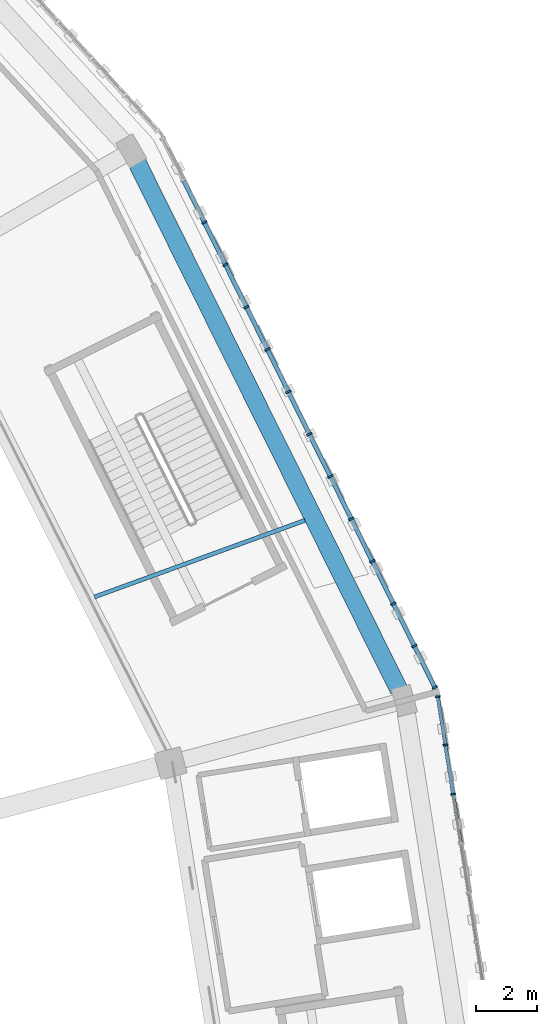
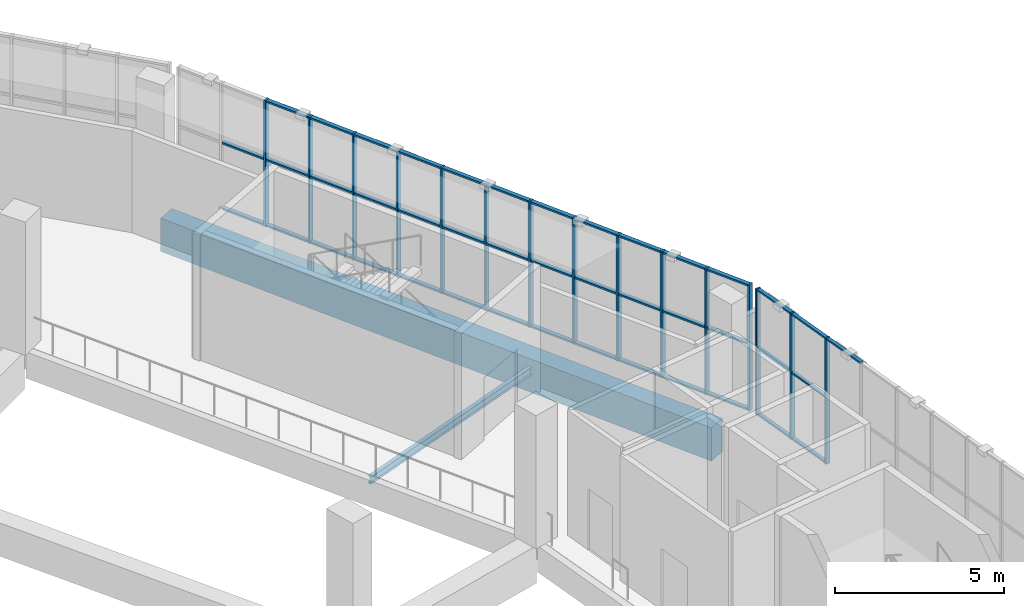
# One storey, part 30 of 108: 57 members, 2 beams, 2 elements without a shape of their own.
"""IFC4 building model written with IfcOpenShell, lengths in metres."""

from ifc_helpers import new_model, si_unit, direction, frame, origin, origin_2d, place, context, subcontext, project, spatial, rectangle, i_section, extrude, material, material_profile, profile_set, type_object, element, aggregate, save


model = new_model("IFC4")

# Units and contexts
model_context = context("Model", 3, precision=1e-05, world=origin(), true_north=direction((0.0, 1.0)))
body_context = subcontext(model_context, "Body", "Model", "MODEL_VIEW")
ifc_project = project(units=[si_unit("LENGTHUNIT", "METRE"), si_unit("AREAUNIT", "SQUARE_METRE"), si_unit("VOLUMEUNIT", "CUBIC_METRE"), si_unit("PLANEANGLEUNIT", "RADIAN"), si_unit("MASSUNIT", "GRAM", prefix="KILO")], contexts=[model_context])

# Site, building, storey
site_placement = place(None, origin())
site = spatial("IfcSite", under=ifc_project, at=site_placement, CompositionType="ELEMENT")
building_placement = place(site_placement, origin())
building = spatial("IfcBuilding", under=site, at=building_placement, Name="Zevraka Park Crest Stadium", CompositionType="ELEMENT")
storey_placement = place(building_placement, frame((0.0, 0.0, 19.800048828125)))
storey = spatial("IfcBuildingStorey", under=building, at=storey_placement, Name="L04", CompositionType="ELEMENT", Elevation=19.800048828125)

# Curtain wall, members
ifc_material_1 = material(Name="Anodised architectural aluminium and laminated safety glass", Category="aluminium")
curtain_wall_type_1 = type_object("IfcCurtainWallType", Name="CW16", PredefinedType="NOTDEFINED", material=ifc_material_1)
curtain_wall_1_placement = place(storey_placement, origin())
curtain_wall_1 = element("IfcCurtainWall", 1, at=curtain_wall_1_placement, inside=storey, type_object=curtain_wall_type_1, Name="Unitised Ring Curtain Wall CW16 L04-00", PredefinedType="NOTDEFINED")
ifc_material_2 = material(Name="Anodised architectural aluminium", Category="aluminium")
ifc_material_profile_1 = material_profile(ifc_material_2, rectangle(XDim=0.159912109375, YDim=0.06005859375, at=origin_2d()), Name="ALU MULLION 160x60")
ifc_profile_set_1 = profile_set([ifc_material_profile_1], Name="Anodised architectural aluminium")
member_type_1 = type_object("IfcMemberType", Name="CM01", PredefinedType="MULLION", material=ifc_profile_set_1)
member_1_placement = place(storey_placement, frame((200.83740234375, 108.395263671875, 0.0), z_axis=(0.0, 0.0, 1.0), x_axis=(-0.987829746281, -0.155539038066, 0.0)))
member_1 = element("IfcMember", 2, at=member_1_placement, type_object=member_type_1, Name="CW16 mullion 11", PredefinedType="MULLION", context=body_context, shape_type="SweptSolid", body=[
    extrude(rectangle(XDim=0.159912109375, YDim=0.06005859375, at=origin_2d()), origin(), (0.0, 0.0, 1.0), 4.5400390625),
])
member_2_placement = place(storey_placement, frame((200.5810546875, 110.02197265625, 0.0), z_axis=(0.0, 0.0, 1.0), x_axis=(-0.987829746281, -0.155539038066, 0.0)))
member_2 = element("IfcMember", 3, at=member_2_placement, type_object=member_type_1, Name="CW16 mullion 12", PredefinedType="MULLION", context=body_context, shape_type="SweptSolid", body=[
    extrude(rectangle(XDim=0.159912109375, YDim=0.06005859375, at=origin_2d()), origin(), (0.0, 0.0, 1.0), 4.5400390625),
])
member_3_placement = place(storey_placement, frame((200.32958984375, 111.619384765625, 0.0), z_axis=(0.0, 0.0, 1.0), x_axis=(-0.987829746281, -0.155539038066, 0.0)))
member_3 = element("IfcMember", 4, at=member_3_placement, type_object=member_type_1, Name="CW16 mullion 13", PredefinedType="MULLION", context=body_context, shape_type="SweptSolid", body=[
    extrude(rectangle(XDim=0.159912109375, YDim=0.06005859375, at=origin_2d()), origin(), (0.0, 0.0, 1.0), 4.5400390625),
])

ifc_material_3 = material(Name="Anodised architectural aluminium and laminated safety glass", Category="aluminium")
curtain_wall_type_2 = type_object("IfcCurtainWallType", Name="CW17", PredefinedType="NOTDEFINED", material=ifc_material_3)
curtain_wall_2_placement = place(storey_placement, origin())
curtain_wall_2 = element("IfcCurtainWall", 5, at=curtain_wall_2_placement, inside=storey, type_object=curtain_wall_type_2, Name="Unitised Ring Curtain Wall CW17 L04-01", PredefinedType="NOTDEFINED")
ifc_material_4 = material(Name="Anodised architectural aluminium", Category="aluminium")
ifc_material_profile_2 = material_profile(ifc_material_4, rectangle(XDim=0.179931640625, YDim=0.06494140625, at=origin_2d()), Name="ALU MULLION 180x65")
ifc_profile_set_2 = profile_set([ifc_material_profile_2], Name="Anodised architectural aluminium")
member_type_2 = type_object("IfcMemberType", Name="CM02", PredefinedType="MULLION", material=ifc_profile_set_2)
member_4_placement = place(storey_placement, frame((200.233642578125, 111.919189453125, 0.0), z_axis=(0.0, 0.0, 1.0), x_axis=(-0.896046076106, -0.443961067545, 0.0)))
member_4 = element("IfcMember", 6, at=member_4_placement, type_object=member_type_2, Name="CW17 mullion 1", PredefinedType="MULLION", context=body_context, shape_type="SweptSolid", body=[
    extrude(rectangle(XDim=0.179931640625, YDim=0.06494140625, at=origin_2d()), origin(), (0.0, 0.0, 1.0), 4.5400390625),
])
member_5_placement = place(storey_placement, frame((199.554443359375, 113.2900390625, 0.0), z_axis=(0.0, 0.0, 1.0), x_axis=(-0.896046076106, -0.443961067545, 0.0)))
member_5 = element("IfcMember", 7, at=member_5_placement, type_object=member_type_2, Name="CW17 mullion 2", PredefinedType="MULLION", context=body_context, shape_type="SweptSolid", body=[
    extrude(rectangle(XDim=0.179931640625, YDim=0.06494140625, at=origin_2d()), origin(), (0.0, 0.0, 1.0), 4.5400390625),
])
member_6_placement = place(storey_placement, frame((198.86083984375, 114.68994140625, 0.0), z_axis=(0.0, 0.0, 1.0), x_axis=(-0.896046076106, -0.443961067545, 0.0)))
member_6 = element("IfcMember", 8, at=member_6_placement, type_object=member_type_2, Name="CW17 mullion 3", PredefinedType="MULLION", context=body_context, shape_type="SweptSolid", body=[
    extrude(rectangle(XDim=0.179931640625, YDim=0.06494140625, at=origin_2d()), origin(), (0.0, 0.0, 1.0), 4.5400390625),
])
member_7_placement = place(storey_placement, frame((198.167236328125, 116.08984375, 0.0), z_axis=(0.0, 0.0, 1.0), x_axis=(-0.896046076106, -0.443961067545, 0.0)))
member_7 = element("IfcMember", 9, at=member_7_placement, type_object=member_type_2, Name="CW17 mullion 4", PredefinedType="MULLION", context=body_context, shape_type="SweptSolid", body=[
    extrude(rectangle(XDim=0.179931640625, YDim=0.06494140625, at=origin_2d()), origin(), (0.0, 0.0, 1.0), 4.5400390625),
])
member_8_placement = place(storey_placement, frame((197.4736328125, 117.48974609375, 0.0), z_axis=(0.0, 0.0, 1.0), x_axis=(-0.896046076106, -0.443961067545, 0.0)))
member_8 = element("IfcMember", 10, at=member_8_placement, type_object=member_type_2, Name="CW17 mullion 5", PredefinedType="MULLION", context=body_context, shape_type="SweptSolid", body=[
    extrude(rectangle(XDim=0.179931640625, YDim=0.06494140625, at=origin_2d()), origin(), (0.0, 0.0, 1.0), 4.5400390625),
])
member_9_placement = place(storey_placement, frame((196.780029296875, 118.8896484375, 0.0), z_axis=(0.0, 0.0, 1.0), x_axis=(-0.896046076106, -0.443961067545, 0.0)))
member_9 = element("IfcMember", 11, at=member_9_placement, type_object=member_type_2, Name="CW17 mullion 6", PredefinedType="MULLION", context=body_context, shape_type="SweptSolid", body=[
    extrude(rectangle(XDim=0.179931640625, YDim=0.06494140625, at=origin_2d()), origin(), (0.0, 0.0, 1.0), 4.5400390625),
])
member_10_placement = place(storey_placement, frame((196.08642578125, 120.28955078125, 0.0), z_axis=(0.0, 0.0, 1.0), x_axis=(-0.896046076106, -0.443961067545, 0.0)))
member_10 = element("IfcMember", 12, at=member_10_placement, type_object=member_type_2, Name="CW17 mullion 7", PredefinedType="MULLION", context=body_context, shape_type="SweptSolid", body=[
    extrude(rectangle(XDim=0.179931640625, YDim=0.06494140625, at=origin_2d()), origin(), (0.0, 0.0, 1.0), 4.5400390625),
])
member_11_placement = place(storey_placement, frame((195.392578125, 121.689453125, 0.0), z_axis=(0.0, 0.0, 1.0), x_axis=(-0.896046076106, -0.443961067545, 0.0)))
member_11 = element("IfcMember", 13, at=member_11_placement, type_object=member_type_2, Name="CW17 mullion 8", PredefinedType="MULLION", context=body_context, shape_type="SweptSolid", body=[
    extrude(rectangle(XDim=0.179931640625, YDim=0.06494140625, at=origin_2d()), origin(), (0.0, 0.0, 1.0), 4.5400390625),
])
member_12_placement = place(storey_placement, frame((194.698974609375, 123.08935546875, 0.0), z_axis=(0.0, 0.0, 1.0), x_axis=(-0.896046076106, -0.443961067545, 0.0)))
member_12 = element("IfcMember", 14, at=member_12_placement, type_object=member_type_2, Name="CW17 mullion 9", PredefinedType="MULLION", context=body_context, shape_type="SweptSolid", body=[
    extrude(rectangle(XDim=0.179931640625, YDim=0.06494140625, at=origin_2d()), origin(), (0.0, 0.0, 1.0), 4.5400390625),
])
member_13_placement = place(storey_placement, frame((194.00537109375, 124.4892578125, 0.0), z_axis=(0.0, 0.0, 1.0), x_axis=(-0.896046076106, -0.443961067545, 0.0)))
member_13 = element("IfcMember", 15, at=member_13_placement, type_object=member_type_2, Name="CW17 mullion 10", PredefinedType="MULLION", context=body_context, shape_type="SweptSolid", body=[
    extrude(rectangle(XDim=0.179931640625, YDim=0.06494140625, at=origin_2d()), origin(), (0.0, 0.0, 1.0), 4.5400390625),
])
member_14_placement = place(storey_placement, frame((193.311767578125, 125.88916015625, 0.0), z_axis=(0.0, 0.0, 1.0), x_axis=(-0.896046076106, -0.443961067545, 0.0)))
member_14 = element("IfcMember", 16, at=member_14_placement, type_object=member_type_2, Name="CW17 mullion 11", PredefinedType="MULLION", context=body_context, shape_type="SweptSolid", body=[
    extrude(rectangle(XDim=0.179931640625, YDim=0.06494140625, at=origin_2d()), origin(), (0.0, 0.0, 1.0), 4.5400390625),
])
member_15_placement = place(storey_placement, frame((192.6181640625, 127.2890625, 0.0), z_axis=(0.0, 0.0, 1.0), x_axis=(-0.896046076106, -0.443961067545, 0.0)))
member_15 = element("IfcMember", 17, at=member_15_placement, type_object=member_type_2, Name="CW17 mullion 12", PredefinedType="MULLION", context=body_context, shape_type="SweptSolid", body=[
    extrude(rectangle(XDim=0.179931640625, YDim=0.06494140625, at=origin_2d()), origin(), (0.0, 0.0, 1.0), 4.5400390625),
])

# Member
ifc_material_5 = material(Name="Anodised architectural aluminium", Category="aluminium")
ifc_material_profile_3 = material_profile(ifc_material_5, rectangle(XDim=0.1201171875, YDim=0.06005859375, at=origin_2d()), Name="ALU TRANSOM 120x60")
ifc_profile_set_3 = profile_set([ifc_material_profile_3], Name="Anodised architectural aluminium")
member_type_3 = type_object("IfcMemberType", Name="CT01", PredefinedType="USERDEFINED", material=ifc_profile_set_3)
member_16_placement = place(storey_placement, frame((201.0888671875, 106.7978515625, 4.510009765625), z_axis=(-0.155535954577, 0.987830231788, 0.0), x_axis=(-0.987830231788, -0.155535954577, 0.0)))
member_16 = element("IfcMember", 18, at=member_16_placement, type_object=member_type_3, Name="CW16 transom 10.3", ObjectType="TRANSOM", PredefinedType="USERDEFINED", context=body_context, shape_type="SweptSolid", body=[
    extrude(rectangle(XDim=0.1201171875, YDim=0.06005859375, at=origin_2d()), origin(), (0.0, 0.0, 1.0), 1.5869140625),
])

member_17_placement = place(storey_placement, frame((200.832763671875, 108.4248046875, 0.030029296875), z_axis=(-0.155535954577, 0.987830231788, 0.0), x_axis=(-0.987830231788, -0.155535954577, 0.0)))
member_17 = element("IfcMember", 19, at=member_17_placement, type_object=member_type_3, Name="CW16 transom 11.1", ObjectType="TRANSOM", PredefinedType="USERDEFINED", context=body_context, shape_type="SweptSolid", body=[
    extrude(rectangle(XDim=0.1201171875, YDim=0.06005859375, at=origin_2d()), origin(), (0.0, 0.0, 1.0), 1.5869140625),
])

member_18_placement = place(storey_placement, frame((200.832763671875, 108.4248046875, 2.39990234375), z_axis=(-0.155535954577, 0.987830231788, 0.0), x_axis=(-0.987830231788, -0.155535954577, 0.0)))
member_18 = element("IfcMember", 20, at=member_18_placement, type_object=member_type_3, Name="CW16 transom 11.2", ObjectType="TRANSOM", PredefinedType="USERDEFINED", context=body_context, shape_type="SweptSolid", body=[
    extrude(rectangle(XDim=0.1201171875, YDim=0.06005859375, at=origin_2d()), origin(), (0.0, 0.0, 1.0), 1.5869140625),
])

member_19_placement = place(storey_placement, frame((200.832763671875, 108.4248046875, 4.510009765625), z_axis=(-0.155535954577, 0.987830231788, 0.0), x_axis=(-0.987830231788, -0.155535954577, 0.0)))
member_19 = element("IfcMember", 21, at=member_19_placement, type_object=member_type_3, Name="CW16 transom 11.3", ObjectType="TRANSOM", PredefinedType="USERDEFINED", context=body_context, shape_type="SweptSolid", body=[
    extrude(rectangle(XDim=0.1201171875, YDim=0.06005859375, at=origin_2d()), origin(), (0.0, 0.0, 1.0), 1.5869140625),
])

member_20_placement = place(storey_placement, frame((200.576416015625, 110.0517578125, 0.030029296875), z_axis=(-0.155543865752, 0.987828986124, 0.0), x_axis=(-0.987828986124, -0.155543865752, 0.0)))
member_20 = element("IfcMember", 22, at=member_20_placement, type_object=member_type_3, Name="CW16 transom 12.1", ObjectType="TRANSOM", PredefinedType="USERDEFINED", context=body_context, shape_type="SweptSolid", body=[
    extrude(rectangle(XDim=0.1201171875, YDim=0.06005859375, at=origin_2d()), origin(), (0.0, 0.0, 1.0), 1.55712890625),
])

member_21_placement = place(storey_placement, frame((200.576416015625, 110.0517578125, 2.39990234375), z_axis=(-0.155543865752, 0.987828986124, 0.0), x_axis=(-0.987828986124, -0.155543865752, 0.0)))
member_21 = element("IfcMember", 23, at=member_21_placement, type_object=member_type_3, Name="CW16 transom 12.2", ObjectType="TRANSOM", PredefinedType="USERDEFINED", context=body_context, shape_type="SweptSolid", body=[
    extrude(rectangle(XDim=0.1201171875, YDim=0.06005859375, at=origin_2d()), origin(), (0.0, 0.0, 1.0), 1.55712890625),
])

member_22_placement = place(storey_placement, frame((200.576416015625, 110.0517578125, 4.510009765625), z_axis=(-0.155543865752, 0.987828986124, 0.0), x_axis=(-0.987828986124, -0.155543865752, 0.0)))
member_22 = element("IfcMember", 24, at=member_22_placement, type_object=member_type_3, Name="CW16 transom 12.3", ObjectType="TRANSOM", PredefinedType="USERDEFINED", context=body_context, shape_type="SweptSolid", body=[
    extrude(rectangle(XDim=0.1201171875, YDim=0.06005859375, at=origin_2d()), origin(), (0.0, 0.0, 1.0), 1.55712890625),
])

aggregate(curtain_wall_1, [member_1, member_2, member_3, member_16, member_17, member_18, member_19, member_20, member_21, member_22])

ifc_material_6 = material(Name="Anodised architectural aluminium", Category="aluminium")
ifc_material_profile_4 = material_profile(ifc_material_6, rectangle(XDim=0.139892578125, YDim=0.06494140625, at=origin_2d()), Name="ALU TRANSOM 140x65")
ifc_profile_set_4 = profile_set([ifc_material_profile_4], Name="Anodised architectural aluminium")
member_type_4 = type_object("IfcMemberType", Name="CT02", PredefinedType="USERDEFINED", material=ifc_profile_set_4)
member_23_placement = place(storey_placement, frame((200.21923828125, 111.9482421875, 0.032470703125), z_axis=(-0.444010656384, 0.896021504774, 0.0), x_axis=(-0.896021504774, -0.444010656384, 0.0)))
member_23 = element("IfcMember", 25, at=member_23_placement, type_object=member_type_4, Name="CW17 transom 1.1", ObjectType="TRANSOM", PredefinedType="USERDEFINED", context=body_context, shape_type="SweptSolid", body=[
    extrude(rectangle(XDim=0.139892578125, YDim=0.06494140625, at=origin_2d()), origin(), (0.0, 0.0, 1.0), 1.46484375),
])

member_24_placement = place(storey_placement, frame((200.21923828125, 111.9482421875, 2.39990234375), z_axis=(-0.444010656384, 0.896021504774, 0.0), x_axis=(-0.896021504774, -0.444010656384, 0.0)))
member_24 = element("IfcMember", 26, at=member_24_placement, type_object=member_type_4, Name="CW17 transom 1.2", ObjectType="TRANSOM", PredefinedType="USERDEFINED", context=body_context, shape_type="SweptSolid", body=[
    extrude(rectangle(XDim=0.139892578125, YDim=0.06494140625, at=origin_2d()), origin(), (0.0, 0.0, 1.0), 1.46484375),
])

member_25_placement = place(storey_placement, frame((200.21923828125, 111.9482421875, 4.507568359375), z_axis=(-0.444010656384, 0.896021504774, 0.0), x_axis=(-0.896021504774, -0.444010656384, 0.0)))
member_25 = element("IfcMember", 27, at=member_25_placement, type_object=member_type_4, Name="CW17 transom 1.3", ObjectType="TRANSOM", PredefinedType="USERDEFINED", context=body_context, shape_type="SweptSolid", body=[
    extrude(rectangle(XDim=0.139892578125, YDim=0.06494140625, at=origin_2d()), origin(), (0.0, 0.0, 1.0), 1.46484375),
])

member_26_placement = place(storey_placement, frame((199.5400390625, 113.319091796875, 0.032470703125), z_axis=(-0.444014747446, 0.896019477495, 0.0), x_axis=(-0.896019477495, -0.444014747446, 0.0)))
member_26 = element("IfcMember", 28, at=member_26_placement, type_object=member_type_4, Name="CW17 transom 2.1", ObjectType="TRANSOM", PredefinedType="USERDEFINED", context=body_context, shape_type="SweptSolid", body=[
    extrude(rectangle(XDim=0.139892578125, YDim=0.06494140625, at=origin_2d()), origin(), (0.0, 0.0, 1.0), 1.497314453125),
])

member_27_placement = place(storey_placement, frame((199.5400390625, 113.319091796875, 2.39990234375), z_axis=(-0.444014747446, 0.896019477495, 0.0), x_axis=(-0.896019477495, -0.444014747446, 0.0)))
member_27 = element("IfcMember", 29, at=member_27_placement, type_object=member_type_4, Name="CW17 transom 2.2", ObjectType="TRANSOM", PredefinedType="USERDEFINED", context=body_context, shape_type="SweptSolid", body=[
    extrude(rectangle(XDim=0.139892578125, YDim=0.06494140625, at=origin_2d()), origin(), (0.0, 0.0, 1.0), 1.497314453125),
])

member_28_placement = place(storey_placement, frame((199.5400390625, 113.319091796875, 4.507568359375), z_axis=(-0.444014747446, 0.896019477495, 0.0), x_axis=(-0.896019477495, -0.444014747446, 0.0)))
member_28 = element("IfcMember", 30, at=member_28_placement, type_object=member_type_4, Name="CW17 transom 2.3", ObjectType="TRANSOM", PredefinedType="USERDEFINED", context=body_context, shape_type="SweptSolid", body=[
    extrude(rectangle(XDim=0.139892578125, YDim=0.06494140625, at=origin_2d()), origin(), (0.0, 0.0, 1.0), 1.497314453125),
])

member_29_placement = place(storey_placement, frame((198.846435546875, 114.718994140625, 0.032470703125), z_axis=(-0.444014747446, 0.896019477495, 0.0), x_axis=(-0.896019477495, -0.444014747446, 0.0)))
member_29 = element("IfcMember", 31, at=member_29_placement, type_object=member_type_4, Name="CW17 transom 3.1", ObjectType="TRANSOM", PredefinedType="USERDEFINED", context=body_context, shape_type="SweptSolid", body=[
    extrude(rectangle(XDim=0.139892578125, YDim=0.06494140625, at=origin_2d()), origin(), (0.0, 0.0, 1.0), 1.497314453125),
])

member_30_placement = place(storey_placement, frame((198.846435546875, 114.718994140625, 2.39990234375), z_axis=(-0.444014747446, 0.896019477495, 0.0), x_axis=(-0.896019477495, -0.444014747446, 0.0)))
member_30 = element("IfcMember", 32, at=member_30_placement, type_object=member_type_4, Name="CW17 transom 3.2", ObjectType="TRANSOM", PredefinedType="USERDEFINED", context=body_context, shape_type="SweptSolid", body=[
    extrude(rectangle(XDim=0.139892578125, YDim=0.06494140625, at=origin_2d()), origin(), (0.0, 0.0, 1.0), 1.497314453125),
])

member_31_placement = place(storey_placement, frame((198.846435546875, 114.718994140625, 4.507568359375), z_axis=(-0.444014747446, 0.896019477495, 0.0), x_axis=(-0.896019477495, -0.444014747446, 0.0)))
member_31 = element("IfcMember", 33, at=member_31_placement, type_object=member_type_4, Name="CW17 transom 3.3", ObjectType="TRANSOM", PredefinedType="USERDEFINED", context=body_context, shape_type="SweptSolid", body=[
    extrude(rectangle(XDim=0.139892578125, YDim=0.06494140625, at=origin_2d()), origin(), (0.0, 0.0, 1.0), 1.497314453125),
])

member_32_placement = place(storey_placement, frame((198.15283203125, 116.118896484375, 0.032470703125), z_axis=(-0.444014747446, 0.896019477495, 0.0), x_axis=(-0.896019477495, -0.444014747446, 0.0)))
member_32 = element("IfcMember", 34, at=member_32_placement, type_object=member_type_4, Name="CW17 transom 4.1", ObjectType="TRANSOM", PredefinedType="USERDEFINED", context=body_context, shape_type="SweptSolid", body=[
    extrude(rectangle(XDim=0.139892578125, YDim=0.06494140625, at=origin_2d()), origin(), (0.0, 0.0, 1.0), 1.497314453125),
])

member_33_placement = place(storey_placement, frame((198.15283203125, 116.118896484375, 2.39990234375), z_axis=(-0.444014747446, 0.896019477495, 0.0), x_axis=(-0.896019477495, -0.444014747446, 0.0)))
member_33 = element("IfcMember", 35, at=member_33_placement, type_object=member_type_4, Name="CW17 transom 4.2", ObjectType="TRANSOM", PredefinedType="USERDEFINED", context=body_context, shape_type="SweptSolid", body=[
    extrude(rectangle(XDim=0.139892578125, YDim=0.06494140625, at=origin_2d()), origin(), (0.0, 0.0, 1.0), 1.497314453125),
])

member_34_placement = place(storey_placement, frame((198.15283203125, 116.118896484375, 4.507568359375), z_axis=(-0.444014747446, 0.896019477495, 0.0), x_axis=(-0.896019477495, -0.444014747446, 0.0)))
member_34 = element("IfcMember", 36, at=member_34_placement, type_object=member_type_4, Name="CW17 transom 4.3", ObjectType="TRANSOM", PredefinedType="USERDEFINED", context=body_context, shape_type="SweptSolid", body=[
    extrude(rectangle(XDim=0.139892578125, YDim=0.06494140625, at=origin_2d()), origin(), (0.0, 0.0, 1.0), 1.497314453125),
])

member_35_placement = place(storey_placement, frame((197.459228515625, 117.518798828125, 0.032470703125), z_axis=(-0.443949882668, 0.896051617754, 0.0), x_axis=(-0.896051617754, -0.443949882668, 0.0)))
member_35 = element("IfcMember", 37, at=member_35_placement, type_object=member_type_4, Name="CW17 transom 5.1", ObjectType="TRANSOM", PredefinedType="USERDEFINED", context=body_context, shape_type="SweptSolid", body=[
    extrude(rectangle(XDim=0.139892578125, YDim=0.06494140625, at=origin_2d()), origin(), (0.0, 0.0, 1.0), 1.49755859375),
])

member_36_placement = place(storey_placement, frame((197.459228515625, 117.518798828125, 2.39990234375), z_axis=(-0.443949882668, 0.896051617754, 0.0), x_axis=(-0.896051617754, -0.443949882668, 0.0)))
member_36 = element("IfcMember", 38, at=member_36_placement, type_object=member_type_4, Name="CW17 transom 5.2", ObjectType="TRANSOM", PredefinedType="USERDEFINED", context=body_context, shape_type="SweptSolid", body=[
    extrude(rectangle(XDim=0.139892578125, YDim=0.06494140625, at=origin_2d()), origin(), (0.0, 0.0, 1.0), 1.49755859375),
])

member_37_placement = place(storey_placement, frame((197.459228515625, 117.518798828125, 4.507568359375), z_axis=(-0.443949882668, 0.896051617754, 0.0), x_axis=(-0.896051617754, -0.443949882668, 0.0)))
member_37 = element("IfcMember", 39, at=member_37_placement, type_object=member_type_4, Name="CW17 transom 5.3", ObjectType="TRANSOM", PredefinedType="USERDEFINED", context=body_context, shape_type="SweptSolid", body=[
    extrude(rectangle(XDim=0.139892578125, YDim=0.06494140625, at=origin_2d()), origin(), (0.0, 0.0, 1.0), 1.49755859375),
])

member_38_placement = place(storey_placement, frame((196.765380859375, 118.918701171875, 0.032470703125), z_axis=(-0.443818964624, 0.89611646935, 0.0), x_axis=(-0.89611646935, -0.443818964624, 0.0)))
member_38 = element("IfcMember", 40, at=member_38_placement, type_object=member_type_4, Name="CW17 transom 6.1", ObjectType="TRANSOM", PredefinedType="USERDEFINED", context=body_context, shape_type="SweptSolid", body=[
    extrude(rectangle(XDim=0.139892578125, YDim=0.06494140625, at=origin_2d()), origin(), (0.0, 0.0, 1.0), 1.497314453125),
])

member_39_placement = place(storey_placement, frame((196.765380859375, 118.918701171875, 2.39990234375), z_axis=(-0.443818964624, 0.89611646935, 0.0), x_axis=(-0.89611646935, -0.443818964624, 0.0)))
member_39 = element("IfcMember", 41, at=member_39_placement, type_object=member_type_4, Name="CW17 transom 6.2", ObjectType="TRANSOM", PredefinedType="USERDEFINED", context=body_context, shape_type="SweptSolid", body=[
    extrude(rectangle(XDim=0.139892578125, YDim=0.06494140625, at=origin_2d()), origin(), (0.0, 0.0, 1.0), 1.497314453125),
])

member_40_placement = place(storey_placement, frame((196.765380859375, 118.918701171875, 4.507568359375), z_axis=(-0.443818964624, 0.89611646935, 0.0), x_axis=(-0.89611646935, -0.443818964624, 0.0)))
member_40 = element("IfcMember", 42, at=member_40_placement, type_object=member_type_4, Name="CW17 transom 6.3", ObjectType="TRANSOM", PredefinedType="USERDEFINED", context=body_context, shape_type="SweptSolid", body=[
    extrude(rectangle(XDim=0.139892578125, YDim=0.06494140625, at=origin_2d()), origin(), (0.0, 0.0, 1.0), 1.497314453125),
])

member_41_placement = place(storey_placement, frame((196.07177734375, 120.318603515625, 0.032470703125), z_axis=(-0.443818964624, 0.89611646935, 0.0), x_axis=(-0.89611646935, -0.443818964624, 0.0)))
member_41 = element("IfcMember", 43, at=member_41_placement, type_object=member_type_4, Name="CW17 transom 7.1", ObjectType="TRANSOM", PredefinedType="USERDEFINED", context=body_context, shape_type="SweptSolid", body=[
    extrude(rectangle(XDim=0.139892578125, YDim=0.06494140625, at=origin_2d()), origin(), (0.0, 0.0, 1.0), 1.497314453125),
])

member_42_placement = place(storey_placement, frame((196.07177734375, 120.318603515625, 2.39990234375), z_axis=(-0.443818964624, 0.89611646935, 0.0), x_axis=(-0.89611646935, -0.443818964624, 0.0)))
member_42 = element("IfcMember", 44, at=member_42_placement, type_object=member_type_4, Name="CW17 transom 7.2", ObjectType="TRANSOM", PredefinedType="USERDEFINED", context=body_context, shape_type="SweptSolid", body=[
    extrude(rectangle(XDim=0.139892578125, YDim=0.06494140625, at=origin_2d()), origin(), (0.0, 0.0, 1.0), 1.497314453125),
])

member_43_placement = place(storey_placement, frame((196.07177734375, 120.318603515625, 4.507568359375), z_axis=(-0.443818964624, 0.89611646935, 0.0), x_axis=(-0.89611646935, -0.443818964624, 0.0)))
member_43 = element("IfcMember", 45, at=member_43_placement, type_object=member_type_4, Name="CW17 transom 7.3", ObjectType="TRANSOM", PredefinedType="USERDEFINED", context=body_context, shape_type="SweptSolid", body=[
    extrude(rectangle(XDim=0.139892578125, YDim=0.06494140625, at=origin_2d()), origin(), (0.0, 0.0, 1.0), 1.497314453125),
])

member_44_placement = place(storey_placement, frame((195.378173828125, 121.718505859375, 0.032470703125), z_axis=(-0.443818964624, 0.89611646935, 0.0), x_axis=(-0.89611646935, -0.443818964624, 0.0)))
member_44 = element("IfcMember", 46, at=member_44_placement, type_object=member_type_4, Name="CW17 transom 8.1", ObjectType="TRANSOM", PredefinedType="USERDEFINED", context=body_context, shape_type="SweptSolid", body=[
    extrude(rectangle(XDim=0.139892578125, YDim=0.06494140625, at=origin_2d()), origin(), (0.0, 0.0, 1.0), 1.497314453125),
])

member_45_placement = place(storey_placement, frame((195.378173828125, 121.718505859375, 2.39990234375), z_axis=(-0.443818964624, 0.89611646935, 0.0), x_axis=(-0.89611646935, -0.443818964624, 0.0)))
member_45 = element("IfcMember", 47, at=member_45_placement, type_object=member_type_4, Name="CW17 transom 8.2", ObjectType="TRANSOM", PredefinedType="USERDEFINED", context=body_context, shape_type="SweptSolid", body=[
    extrude(rectangle(XDim=0.139892578125, YDim=0.06494140625, at=origin_2d()), origin(), (0.0, 0.0, 1.0), 1.497314453125),
])

member_46_placement = place(storey_placement, frame((195.378173828125, 121.718505859375, 4.507568359375), z_axis=(-0.443818964624, 0.89611646935, 0.0), x_axis=(-0.89611646935, -0.443818964624, 0.0)))
member_46 = element("IfcMember", 48, at=member_46_placement, type_object=member_type_4, Name="CW17 transom 8.3", ObjectType="TRANSOM", PredefinedType="USERDEFINED", context=body_context, shape_type="SweptSolid", body=[
    extrude(rectangle(XDim=0.139892578125, YDim=0.06494140625, at=origin_2d()), origin(), (0.0, 0.0, 1.0), 1.497314453125),
])

member_47_placement = place(storey_placement, frame((194.6845703125, 123.118408203125, 0.032470703125), z_axis=(-0.443949882668, 0.896051617754, 0.0), x_axis=(-0.896051617754, -0.443949882668, 0.0)))
member_47 = element("IfcMember", 49, at=member_47_placement, type_object=member_type_4, Name="CW17 transom 9.1", ObjectType="TRANSOM", PredefinedType="USERDEFINED", context=body_context, shape_type="SweptSolid", body=[
    extrude(rectangle(XDim=0.139892578125, YDim=0.06494140625, at=origin_2d()), origin(), (0.0, 0.0, 1.0), 1.49755859375),
])

member_48_placement = place(storey_placement, frame((194.6845703125, 123.118408203125, 2.39990234375), z_axis=(-0.443949882668, 0.896051617754, 0.0), x_axis=(-0.896051617754, -0.443949882668, 0.0)))
member_48 = element("IfcMember", 50, at=member_48_placement, type_object=member_type_4, Name="CW17 transom 9.2", ObjectType="TRANSOM", PredefinedType="USERDEFINED", context=body_context, shape_type="SweptSolid", body=[
    extrude(rectangle(XDim=0.139892578125, YDim=0.06494140625, at=origin_2d()), origin(), (0.0, 0.0, 1.0), 1.49755859375),
])

member_49_placement = place(storey_placement, frame((194.6845703125, 123.118408203125, 4.507568359375), z_axis=(-0.443949882668, 0.896051617754, 0.0), x_axis=(-0.896051617754, -0.443949882668, 0.0)))
member_49 = element("IfcMember", 51, at=member_49_placement, type_object=member_type_4, Name="CW17 transom 9.3", ObjectType="TRANSOM", PredefinedType="USERDEFINED", context=body_context, shape_type="SweptSolid", body=[
    extrude(rectangle(XDim=0.139892578125, YDim=0.06494140625, at=origin_2d()), origin(), (0.0, 0.0, 1.0), 1.49755859375),
])

member_50_placement = place(storey_placement, frame((193.990966796875, 124.518310546875, 0.032470703125), z_axis=(-0.443949882668, 0.896051617754, 0.0), x_axis=(-0.896051617754, -0.443949882668, 0.0)))
member_50 = element("IfcMember", 52, at=member_50_placement, type_object=member_type_4, Name="CW17 transom 10.1", ObjectType="TRANSOM", PredefinedType="USERDEFINED", context=body_context, shape_type="SweptSolid", body=[
    extrude(rectangle(XDim=0.139892578125, YDim=0.06494140625, at=origin_2d()), origin(), (0.0, 0.0, 1.0), 1.49755859375),
])

member_51_placement = place(storey_placement, frame((193.990966796875, 124.518310546875, 2.39990234375), z_axis=(-0.443949882668, 0.896051617754, 0.0), x_axis=(-0.896051617754, -0.443949882668, 0.0)))
member_51 = element("IfcMember", 53, at=member_51_placement, type_object=member_type_4, Name="CW17 transom 10.2", ObjectType="TRANSOM", PredefinedType="USERDEFINED", context=body_context, shape_type="SweptSolid", body=[
    extrude(rectangle(XDim=0.139892578125, YDim=0.06494140625, at=origin_2d()), origin(), (0.0, 0.0, 1.0), 1.49755859375),
])

member_52_placement = place(storey_placement, frame((193.990966796875, 124.518310546875, 4.507568359375), z_axis=(-0.443949882668, 0.896051617754, 0.0), x_axis=(-0.896051617754, -0.443949882668, 0.0)))
member_52 = element("IfcMember", 54, at=member_52_placement, type_object=member_type_4, Name="CW17 transom 10.3", ObjectType="TRANSOM", PredefinedType="USERDEFINED", context=body_context, shape_type="SweptSolid", body=[
    extrude(rectangle(XDim=0.139892578125, YDim=0.06494140625, at=origin_2d()), origin(), (0.0, 0.0, 1.0), 1.49755859375),
])

member_53_placement = place(storey_placement, frame((193.29736328125, 125.91845703125, 0.032470703125), z_axis=(-0.444014747446, 0.896019477495, 0.0), x_axis=(-0.896019477495, -0.444014747446, 0.0)))
member_53 = element("IfcMember", 55, at=member_53_placement, type_object=member_type_4, Name="CW17 transom 11.1", ObjectType="TRANSOM", PredefinedType="USERDEFINED", context=body_context, shape_type="SweptSolid", body=[
    extrude(rectangle(XDim=0.139892578125, YDim=0.06494140625, at=origin_2d()), origin(), (0.0, 0.0, 1.0), 1.497314453125),
])

member_54_placement = place(storey_placement, frame((193.29736328125, 125.91845703125, 2.39990234375), z_axis=(-0.444014747446, 0.896019477495, 0.0), x_axis=(-0.896019477495, -0.444014747446, 0.0)))
member_54 = element("IfcMember", 56, at=member_54_placement, type_object=member_type_4, Name="CW17 transom 11.2", ObjectType="TRANSOM", PredefinedType="USERDEFINED", context=body_context, shape_type="SweptSolid", body=[
    extrude(rectangle(XDim=0.139892578125, YDim=0.06494140625, at=origin_2d()), origin(), (0.0, 0.0, 1.0), 1.497314453125),
])

member_55_placement = place(storey_placement, frame((193.29736328125, 125.91845703125, 4.507568359375), z_axis=(-0.444014747446, 0.896019477495, 0.0), x_axis=(-0.896019477495, -0.444014747446, 0.0)))
member_55 = element("IfcMember", 57, at=member_55_placement, type_object=member_type_4, Name="CW17 transom 11.3", ObjectType="TRANSOM", PredefinedType="USERDEFINED", context=body_context, shape_type="SweptSolid", body=[
    extrude(rectangle(XDim=0.139892578125, YDim=0.06494140625, at=origin_2d()), origin(), (0.0, 0.0, 1.0), 1.497314453125),
])

member_56_placement = place(storey_placement, frame((192.603759765625, 127.318359375, 0.032470703125), z_axis=(-0.444014747446, 0.896019477495, 0.0), x_axis=(-0.896019477495, -0.444014747446, 0.0)))
member_56 = element("IfcMember", 58, at=member_56_placement, type_object=member_type_4, Name="CW17 transom 12.1", ObjectType="TRANSOM", PredefinedType="USERDEFINED", context=body_context, shape_type="SweptSolid", body=[
    extrude(rectangle(XDim=0.139892578125, YDim=0.06494140625, at=origin_2d()), origin(), (0.0, 0.0, 1.0), 1.497314453125),
])

member_57_placement = place(storey_placement, frame((192.603759765625, 127.318359375, 2.39990234375), z_axis=(-0.444014747446, 0.896019477495, 0.0), x_axis=(-0.896019477495, -0.444014747446, 0.0)))
member_57 = element("IfcMember", 59, at=member_57_placement, type_object=member_type_4, Name="CW17 transom 12.2", ObjectType="TRANSOM", PredefinedType="USERDEFINED", context=body_context, shape_type="SweptSolid", body=[
    extrude(rectangle(XDim=0.139892578125, YDim=0.06494140625, at=origin_2d()), origin(), (0.0, 0.0, 1.0), 1.497314453125),
])

aggregate(curtain_wall_2, [member_4, member_5, member_6, member_7, member_8, member_9, member_10, member_11, member_12, member_13, member_14, member_15, member_23, member_24, member_25, member_26, member_27, member_28, member_29, member_30, member_31, member_32, member_33, member_34, member_35, member_36, member_37, member_38, member_39, member_40, member_41, member_42, member_43, member_44, member_45, member_46, member_47, member_48, member_49, member_50, member_51, member_52, member_53, member_54, member_55, member_56, member_57])

# Beams
ifc_material_7 = material(Name="Concrete C40/50", Category="concrete")
ifc_material_profile_5 = material_profile(ifc_material_7, rectangle(XDim=0.60009765625, YDim=1.199951171875, at=origin_2d()), Name="RC 1200x600")
ifc_profile_set_5 = profile_set([ifc_material_profile_5], Name="Concrete C40/50")
beam_type_1 = type_object("IfcBeamType", Name="RB01", PredefinedType="BEAM", material=ifc_profile_set_5)
beam_1_placement = place(storey_placement, frame((199.053955078125, 111.8291015625, -0.610107421875), z_axis=(-0.444850507814, 0.895604837916, 0.0), x_axis=(-0.895604837916, -0.444850507814, 0.0)))
element("IfcBeam", 60, at=beam_1_placement, inside=storey, type_object=beam_type_1, Name="Ring Beam RB01 L04-D-01", PredefinedType="BEAM", context=body_context, shape_type="SweptSolid", body=[
    extrude(rectangle(XDim=0.60009765625, YDim=1.199951171875, at=origin_2d()), origin(), (0.0, 0.0, 1.0), 19.5185546875),
])
ifc_material_8 = material(Name="Steel S355", Category="steel")
ifc_material_profile_6 = material_profile(ifc_material_8, i_section(OverallWidth=0.135009765625, OverallDepth=0.27001953125, WebThickness=0.006591796875, FlangeThickness=0.01025390625, at=origin_2d()), Name="IPE 270")
ifc_profile_set_6 = profile_set([ifc_material_profile_6], Name="Steel S355")
beam_type_2 = type_object("IfcBeamType", Name="SJ07", PredefinedType="JOIST", material=ifc_profile_set_6)
beam_2_placement = place(storey_placement, frame((188.986083984375, 114.9130859375, -0.403076171875), z_axis=(0.939772225385, 0.341801352243, 0.0), x_axis=(-0.341801352243, 0.939772225385, 0.0)))
element("IfcBeam", 61, at=beam_2_placement, inside=storey, type_object=beam_type_2, Name="Floor Joist SJ07 L04-CD-01-1", PredefinedType="JOIST", context=body_context, shape_type="SweptSolid", body=[
    extrude(i_section(OverallWidth=0.135009765625, OverallDepth=0.27001953125, WebThickness=0.006591796875, FlangeThickness=0.01025390625, at=origin_2d()), origin(), (0.0, 0.0, 1.0), 7.3984375),
])

save(model, "model.ifc")
